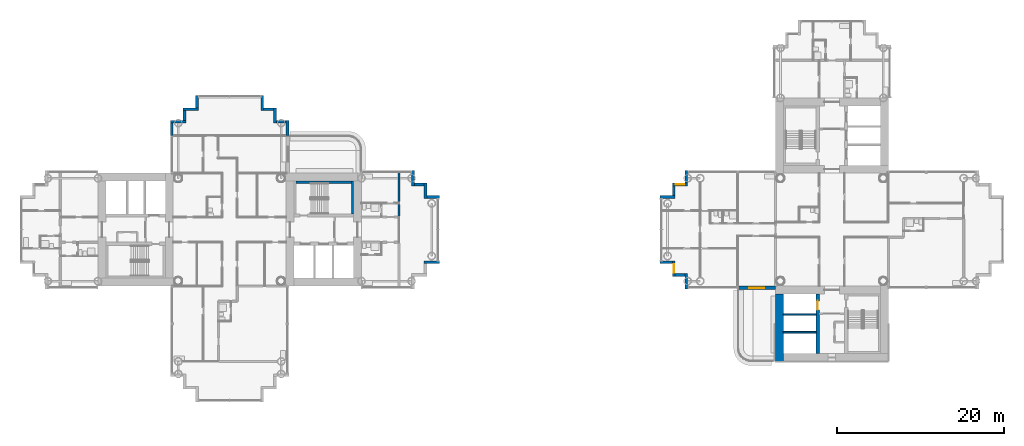
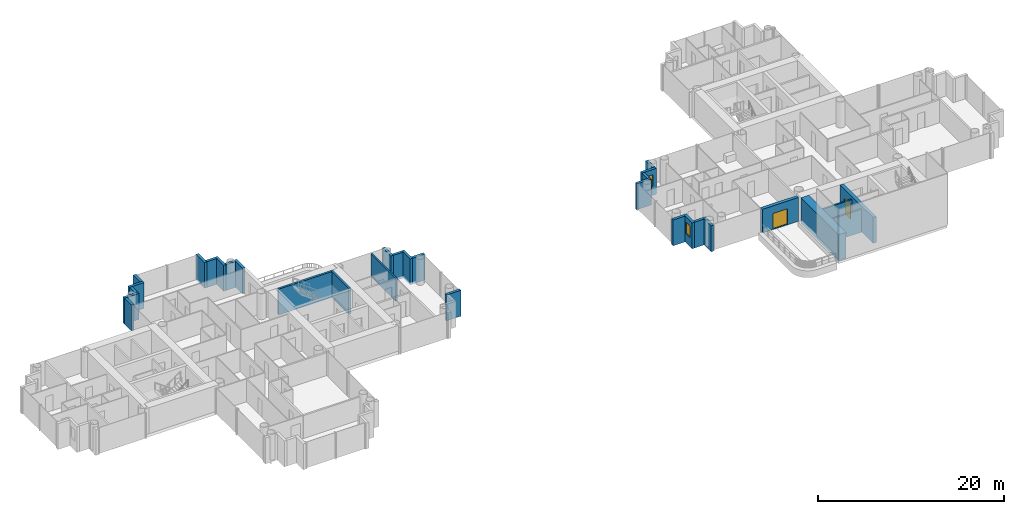
# One storey, part 12 of 22: 31 walls, 2 doors, 2 windows, 4 openings.
"""IFC4 building model written with IfcOpenShell, lengths in metres."""

from ifc_helpers import new_model, si_unit, direction, frame, frame_2d, origin, place, context, subcontext, project, spatial, rectangle, extrude, material, layer, layer_set, type_object, element, fill, save


model = new_model("IFC4")

# Units and contexts
model_context = context("Model", 3, precision=1e-05, world=origin(), true_north=direction((0.0, 1.0)))
body_context = subcontext(model_context, "Body", "Model", "MODEL_VIEW")
ifc_project = project(units=[si_unit("LENGTHUNIT", "METRE"), si_unit("AREAUNIT", "SQUARE_METRE"), si_unit("VOLUMEUNIT", "CUBIC_METRE"), si_unit("PLANEANGLEUNIT", "RADIAN"), si_unit("MASSUNIT", "GRAM", prefix="KILO")], contexts=[model_context])

# Site, building, storey
site_placement = place(None, origin())
site = spatial("IfcSite", under=ifc_project, at=site_placement, CompositionType="ELEMENT")
building_placement = place(site_placement, origin())
building = spatial("IfcBuilding", under=site, at=building_placement, Name="Ipe Terrace Towers", CompositionType="ELEMENT")
storey_placement = place(building_placement, frame((0.0, 0.0, 110.60009765625)))
storey = spatial("IfcBuildingStorey", under=building, at=storey_placement, Name="L30", CompositionType="ELEMENT", Elevation=110.60009765625)

# Wall, opening, door
ifc_material_1 = material(Name="Concrete C40/50 with buff precast cladding", Category="concrete")
ifc_layer_1 = layer(ifc_material_1, 0.39990234375)
ifc_layer_set_1 = layer_set([ifc_layer_1], Name="BALCONY BAY WALL 400")
wall_type_1 = type_object("IfcWallType", Name="BALCONY BAY WALL 400", PredefinedType="STANDARD", material=ifc_layer_set_1)
wall_1_placement = place(storey_placement, frame((24.75, -6.949951171875, -0.02001953125), z_axis=(0.0, 0.0, 1.0), x_axis=(1.0, 0.0, 0.0)))
wall_1 = element("IfcWall", 1, at=wall_1_placement, inside=storey, type_object=wall_type_1, Name="T2-W-L30-40a wall", PredefinedType="STANDARD", context=body_context, shape_type="SweptSolid", body=[
    extrude(rectangle(XDim=4.5, YDim=0.39990234375, at=frame_2d((2.25, 0.0))), origin(), (0.0, 0.0, 1.0), 3.119873046875),
])
opening_1_placement = place(wall_1_placement, frame((1.35009765625, 0.0, 0.02001953125)))
opening_1 = element("IfcOpeningElement", 2, at=opening_1_placement, cuts=wall_1, Name="Opening T2-D-L30-40", PredefinedType="OPENING", context=body_context, shape_type="SweptSolid", body=[
    extrude(rectangle(XDim=1.800048828125, YDim=2.10009765625, at=frame_2d((0.89990234375, 1.050048828125))), frame((0.0, 0.2099609375, 0.0), z_axis=(0.0, -1.0, 0.0), x_axis=(1.0, 0.0, 0.0)), (0.0, 0.0, 1.0), 0.419921875),
])
ifc_material_2 = material(Name="Aluminium alloy 6063-T6 framed glazed door", Category="aluminium")
door_type_1 = type_object("IfcDoorType", Name="BALCONY DOOR 1800 x 2100 RIGHT", OperationType="SINGLE_SWING_RIGHT", PredefinedType="DOOR", material=ifc_material_2)
door_1_placement = place(opening_1_placement, origin())
door_1 = element("IfcDoor", 3, at=door_1_placement, inside=storey, type_object=door_type_1, Name="DB2 door", OperationType="SINGLE_SWING_RIGHT", OverallHeight=2.10009765625, OverallWidth=1.800048828125, PredefinedType="DOOR", context=body_context, shape_type="SweptSolid", body=[
    extrude(rectangle(XDim=1.800048828125, YDim=2.10009765625, at=frame_2d((0.89990234375, 1.050048828125))), frame((0.0, 0.02490234375, 0.0), z_axis=(0.0, -1.0, 0.0), x_axis=(1.0, 0.0, 0.0)), (0.0, 0.0, 1.0), 0.050048828125),
])
fill(opening_1, door_1)

# Walls
ifc_material_3 = material(Name="Concrete C40/50 with buff precast cladding", Category="concrete")
ifc_layer_2 = layer(ifc_material_3, 0.320068359375)
ifc_layer_set_2 = layer_set([ifc_layer_2], Name="BUFF CLADDING WALL 320")
wall_type_2 = type_object("IfcWallType", Name="BUFF CLADDING WALL 320", PredefinedType="STANDARD", material=ifc_layer_set_2)
wall_2_placement = place(storey_placement, frame((-12.75, -3.909912109375, -0.300048828125), z_axis=(0.0, 0.0, 1.0), x_axis=(1.0, 0.0, 0.0)))
element("IfcWall", 4, at=wall_2_placement, inside=storey, type_object=wall_type_2, Name="T1-W-L30-24a wall", PredefinedType="STANDARD", context=body_context, shape_type="SweptSolid", body=[
    extrude(rectangle(XDim=1.820068359375, YDim=0.320068359375, at=frame_2d((0.91015625, 0.0))), origin(), (0.0, 0.0, 1.0), 3.39990234375),
])
wall_3_placement = place(storey_placement, frame((-10.929931640625, 3.909912109375, -0.300048828125), z_axis=(0.0, 0.0, 1.0), x_axis=(-1.0, 0.0, 0.0)))
element("IfcWall", 5, at=wall_3_placement, inside=storey, type_object=wall_type_2, Name="T1-W-L30-26a wall", PredefinedType="STANDARD", context=body_context, shape_type="SweptSolid", body=[
    extrude(rectangle(XDim=1.5, YDim=0.320068359375, at=frame_2d((0.75, 0.0))), origin(), (0.0, 0.0, 1.0), 3.39990234375),
])
wall_4_placement = place(storey_placement, frame((-12.590087890625, 3.75, -0.300048828125), z_axis=(0.0, 0.0, 1.0), x_axis=(0.0, 1.0, 0.0)))
element("IfcWall", 6, at=wall_4_placement, inside=storey, type_object=wall_type_2, Name="T1-W-L30-27a wall", PredefinedType="STANDARD", context=body_context, shape_type="SweptSolid", body=[
    extrude(rectangle(XDim=1.820068359375, YDim=0.320068359375, at=frame_2d((0.91015625, 0.0))), origin(), (0.0, 0.0, 1.0), 3.39990234375),
])
wall_5_placement = place(storey_placement, frame((-12.75, 5.409912109375, -0.300048828125), z_axis=(0.0, 0.0, 1.0), x_axis=(-1.0, 0.0, 0.0)))
element("IfcWall", 7, at=wall_5_placement, inside=storey, type_object=wall_type_2, Name="T1-W-L30-28a wall", PredefinedType="STANDARD", context=body_context, shape_type="SweptSolid", body=[
    extrude(rectangle(XDim=1.179931640625, YDim=0.320068359375, at=frame_2d((0.58984375, 0.0))), origin(), (0.0, 0.0, 1.0), 3.39990234375),
])
for number, where, z_axis, x_axis, name in (
    (8, (-14.090087890625, 5.25, -0.300048828125), (0.0, 0.0, 1.0), (0.0, 1.0, 0.0), "T1-W-L30-29a wall"),
    (9, (-29.090087890625, 11.25, -0.300048828125), (0.0, 0.0, 1.0), (0.0, 1.0, 0.0), "T1-W-L30-33a wall"),
):
    element("IfcWall", number, at=place(storey_placement, frame(where, z_axis=z_axis, x_axis=x_axis)), inside=storey, type_object=wall_type_2, Name=name, PredefinedType="STANDARD", context=body_context, shape_type="SweptSolid", body=[
        extrude(rectangle(XDim=1.820068359375, YDim=0.320068359375, at=frame_2d((0.91015625, 0.0))), origin(), (0.0, 0.0, 1.0), 3.39990234375),
    ])
wall_6_placement = place(storey_placement, frame((-29.25, 12.909912109375, -0.300048828125), z_axis=(0.0, 0.0, 1.0), x_axis=(-1.0, 0.0, 0.0)))
element("IfcWall", 10, at=wall_6_placement, inside=storey, type_object=wall_type_2, Name="T1-W-L30-34a wall", PredefinedType="STANDARD", context=body_context, shape_type="SweptSolid", body=[
    extrude(rectangle(XDim=1.179931640625, YDim=0.320068359375, at=frame_2d((0.58984375, 0.0))), origin(), (0.0, 0.0, 1.0), 3.39990234375),
])
wall_7_placement = place(storey_placement, frame((-30.590087890625, 12.75, -0.300048828125), z_axis=(0.0, 0.0, 1.0), x_axis=(0.0, 1.0, 0.0)))
element("IfcWall", 11, at=wall_7_placement, inside=storey, type_object=wall_type_2, Name="T1-W-L30-35a wall", PredefinedType="STANDARD", context=body_context, shape_type="SweptSolid", body=[
    extrude(rectangle(XDim=1.820068359375, YDim=0.320068359375, at=frame_2d((0.91015625, 0.0))), origin(), (0.0, 0.0, 1.0), 3.39990234375),
])
wall_8_placement = place(storey_placement, frame((-30.75, 14.409912109375, -0.300048828125), z_axis=(0.0, 0.0, 1.0), x_axis=(-1.0, 0.0, 0.0)))
element("IfcWall", 12, at=wall_8_placement, inside=storey, type_object=wall_type_2, Name="T1-W-L30-36a wall", PredefinedType="STANDARD", context=body_context, shape_type="SweptSolid", body=[
    extrude(rectangle(XDim=1.179931640625, YDim=0.320068359375, at=frame_2d((0.58984375, 0.0))), origin(), (0.0, 0.0, 1.0), 3.39990234375),
])
wall_9_placement = place(storey_placement, frame((-32.090087890625, 14.25, -0.300048828125), z_axis=(0.0, 0.0, 1.0), x_axis=(0.0, 1.0, 0.0)))
element("IfcWall", 13, at=wall_9_placement, inside=storey, type_object=wall_type_2, Name="T1-W-L30-37a wall", PredefinedType="STANDARD", context=body_context, shape_type="SweptSolid", body=[
    extrude(rectangle(XDim=1.820068359375, YDim=0.320068359375, at=frame_2d((0.91015625, 0.0))), origin(), (0.0, 0.0, 1.0), 3.39990234375),
])
wall_10_placement = place(storey_placement, frame((-39.909912109375, 16.070068359375, -0.300048828125), z_axis=(0.0, 0.0, 1.0), x_axis=(0.0, -1.0, 0.0)))
element("IfcWall", 14, at=wall_10_placement, inside=storey, type_object=wall_type_2, Name="T1-W-L30-39a wall", PredefinedType="STANDARD", context=body_context, shape_type="SweptSolid", body=[
    extrude(rectangle(XDim=1.5, YDim=0.320068359375, at=frame_2d((0.75, 0.0))), origin(), (0.0, 0.0, 1.0), 3.39990234375),
])
wall_11_placement = place(storey_placement, frame((-39.75, 14.409912109375, -0.300048828125), z_axis=(0.0, 0.0, 1.0), x_axis=(-1.0, 0.0, 0.0)))
element("IfcWall", 15, at=wall_11_placement, inside=storey, type_object=wall_type_2, Name="T1-W-L30-40a wall", PredefinedType="STANDARD", context=body_context, shape_type="SweptSolid", body=[
    extrude(rectangle(XDim=1.820068359375, YDim=0.320068359375, at=frame_2d((0.91015625, 0.0))), origin(), (0.0, 0.0, 1.0), 3.39990234375),
])
wall_12_placement = place(storey_placement, frame((-41.409912109375, 14.25, -0.300048828125), z_axis=(0.0, 0.0, 1.0), x_axis=(0.0, -1.0, 0.0)))
element("IfcWall", 16, at=wall_12_placement, inside=storey, type_object=wall_type_2, Name="T1-W-L30-41a wall", PredefinedType="STANDARD", context=body_context, shape_type="SweptSolid", body=[
    extrude(rectangle(XDim=1.179931640625, YDim=0.320068359375, at=frame_2d((0.58984375, 0.0))), origin(), (0.0, 0.0, 1.0), 3.39990234375),
])
wall_13_placement = place(storey_placement, frame((-41.25, 12.909912109375, -0.300048828125), z_axis=(0.0, 0.0, 1.0), x_axis=(-1.0, 0.0, 0.0)))
element("IfcWall", 17, at=wall_13_placement, inside=storey, type_object=wall_type_2, Name="T1-W-L30-42a wall", PredefinedType="STANDARD", context=body_context, shape_type="SweptSolid", body=[
    extrude(rectangle(XDim=1.820068359375, YDim=0.320068359375, at=frame_2d((0.91015625, 0.0))), origin(), (0.0, 0.0, 1.0), 3.39990234375),
])
for number, where, z_axis, x_axis, name in (
    (18, (-42.909912109375, 12.75, -0.300048828125), (0.0, 0.0, 1.0), (0.0, -1.0, 0.0), "T1-W-L30-43a wall"),
    (19, (18.590087890625, 7.070068359375, -0.300048828125), (0.0, 0.0, 1.0), (0.0, -1.0, 0.0), "T2-W-L30-30a wall"),
):
    element("IfcWall", number, at=place(storey_placement, frame(where, z_axis=z_axis, x_axis=x_axis)), inside=storey, type_object=wall_type_2, Name=name, PredefinedType="STANDARD", context=body_context, shape_type="SweptSolid", body=[
        extrude(rectangle(XDim=1.5, YDim=0.320068359375, at=frame_2d((0.75, 0.0))), origin(), (0.0, 0.0, 1.0), 3.39990234375),
    ])

# Wall, opening, window
wall_14_placement = place(storey_placement, frame((18.75, 5.409912109375, -0.300048828125), z_axis=(0.0, 0.0, 1.0), x_axis=(-1.0, 0.0, 0.0)))
wall_14 = element("IfcWall", 20, at=wall_14_placement, inside=storey, type_object=wall_type_2, Name="T2-W-L30-31a wall", PredefinedType="STANDARD", context=body_context, shape_type="SweptSolid", body=[
    extrude(rectangle(XDim=1.820068359375, YDim=0.320068359375, at=frame_2d((0.91015625, 0.0))), origin(), (0.0, 0.0, 1.0), 3.39990234375),
])
opening_2_placement = place(wall_14_placement, frame((0.409912109375, 0.0, 1.199951171875)))
opening_2 = element("IfcOpeningElement", 21, at=opening_2_placement, cuts=wall_14, Name="Opening T2-W-05-L30-02", PredefinedType="OPENING", context=body_context, shape_type="SweptSolid", body=[
    extrude(rectangle(XDim=1.0, YDim=1.5, at=frame_2d((0.5, 0.75))), frame((0.0, 0.169921875, 0.0), z_axis=(0.0, -1.0, 0.0), x_axis=(1.0, 0.0, 0.0)), (0.0, 0.0, 1.0), 0.340087890625),
])
ifc_material_4 = material(Name="Glass, clear laminated", Category="glass")
window_type = type_object("IfcWindowType", Name="DWELLING WINDOW 1000 x 1500", PartitioningType="SINGLE_PANEL", PredefinedType="WINDOW", material=ifc_material_4)
window_1_placement = place(opening_2_placement, origin())
window_1 = element("IfcWindow", 22, at=window_1_placement, inside=storey, type_object=window_type, Name="W-05 window", OverallHeight=1.5, OverallWidth=1.0, PartitioningType="SINGLE_PANEL", PredefinedType="WINDOW", context=body_context, shape_type="SweptSolid", body=[
    extrude(rectangle(XDim=1.0, YDim=1.5, at=frame_2d((0.5, 0.75))), frame((0.0, 0.030029296875, 0.0), z_axis=(0.0, -1.0, 0.0), x_axis=(1.0, 0.0, 0.0)), (0.0, 0.0, 1.0), 0.06005859375),
])
fill(opening_2, window_1)

# Walls
wall_15_placement = place(storey_placement, frame((17.090087890625, 5.25, -0.300048828125), z_axis=(0.0, 0.0, 1.0), x_axis=(0.0, -1.0, 0.0)))
element("IfcWall", 23, at=wall_15_placement, inside=storey, type_object=wall_type_2, Name="T2-W-L30-32a wall", PredefinedType="STANDARD", context=body_context, shape_type="SweptSolid", body=[
    extrude(rectangle(XDim=1.179931640625, YDim=0.320068359375, at=frame_2d((0.58984375, 0.0))), origin(), (0.0, 0.0, 1.0), 3.39990234375),
])
wall_16_placement = place(storey_placement, frame((17.25, 3.909912109375, -0.300048828125), z_axis=(0.0, 0.0, 1.0), x_axis=(-1.0, 0.0, 0.0)))
element("IfcWall", 24, at=wall_16_placement, inside=storey, type_object=wall_type_2, Name="T2-W-L30-33a wall", PredefinedType="STANDARD", context=body_context, shape_type="SweptSolid", body=[
    extrude(rectangle(XDim=1.820068359375, YDim=0.320068359375, at=frame_2d((0.91015625, 0.0))), origin(), (0.0, 0.0, 1.0), 3.39990234375),
])
wall_17_placement = place(storey_placement, frame((15.429931640625, -3.909912109375, -0.300048828125), z_axis=(0.0, 0.0, 1.0), x_axis=(1.0, 0.0, 0.0)))
element("IfcWall", 25, at=wall_17_placement, inside=storey, type_object=wall_type_2, Name="T2-W-L30-35a wall", PredefinedType="STANDARD", context=body_context, shape_type="SweptSolid", body=[
    extrude(rectangle(XDim=1.5, YDim=0.320068359375, at=frame_2d((0.75, 0.0))), origin(), (0.0, 0.0, 1.0), 3.39990234375),
])

# Wall, opening, window
wall_18_placement = place(storey_placement, frame((17.090087890625, -3.75, -0.300048828125), z_axis=(0.0, 0.0, 1.0), x_axis=(0.0, -1.0, 0.0)))
wall_18 = element("IfcWall", 26, at=wall_18_placement, inside=storey, type_object=wall_type_2, Name="T2-W-L30-36a wall", PredefinedType="STANDARD", context=body_context, shape_type="SweptSolid", body=[
    extrude(rectangle(XDim=1.820068359375, YDim=0.320068359375, at=frame_2d((0.91015625, 0.0))), origin(), (0.0, 0.0, 1.0), 3.39990234375),
])
opening_3_placement = place(wall_18_placement, frame((0.409912109375, 0.0, 1.199951171875)))
opening_3 = element("IfcOpeningElement", 27, at=opening_3_placement, cuts=wall_18, Name="Opening T2-W-05-L30-01", PredefinedType="OPENING", context=body_context, shape_type="SweptSolid", body=[
    extrude(rectangle(XDim=1.0, YDim=1.5, at=frame_2d((0.5, 0.75))), frame((0.0, 0.169921875, 0.0), z_axis=(0.0, -1.0, 0.0), x_axis=(1.0, 0.0, 0.0)), (0.0, 0.0, 1.0), 0.340087890625),
])
window_2_placement = place(opening_3_placement, origin())
window_2 = element("IfcWindow", 28, at=window_2_placement, inside=storey, type_object=window_type, Name="W-05 window", OverallHeight=1.5, OverallWidth=1.0, PartitioningType="SINGLE_PANEL", PredefinedType="WINDOW", context=body_context, shape_type="SweptSolid", body=[
    extrude(rectangle(XDim=1.0, YDim=1.5, at=frame_2d((0.5, 0.75))), frame((0.0, 0.030029296875, 0.0), z_axis=(0.0, -1.0, 0.0), x_axis=(1.0, 0.0, 0.0)), (0.0, 0.0, 1.0), 0.06005859375),
])
fill(opening_3, window_2)

# Walls
wall_19_placement = place(storey_placement, frame((17.25, -5.409912109375, -0.300048828125), z_axis=(0.0, 0.0, 1.0), x_axis=(1.0, 0.0, 0.0)))
element("IfcWall", 29, at=wall_19_placement, inside=storey, type_object=wall_type_2, Name="T2-W-L30-37a wall", PredefinedType="STANDARD", context=body_context, shape_type="SweptSolid", body=[
    extrude(rectangle(XDim=1.179931640625, YDim=0.320068359375, at=frame_2d((0.58984375, 0.0))), origin(), (0.0, 0.0, 1.0), 3.39990234375),
])
wall_20_placement = place(storey_placement, frame((18.590087890625, -5.25, -0.300048828125), z_axis=(0.0, 0.0, 1.0), x_axis=(0.0, -1.0, 0.0)))
element("IfcWall", 30, at=wall_20_placement, inside=storey, type_object=wall_type_2, Name="T2-W-L30-38a wall", PredefinedType="STANDARD", context=body_context, shape_type="SweptSolid", body=[
    extrude(rectangle(XDim=1.820068359375, YDim=0.320068359375, at=frame_2d((0.91015625, 0.0))), origin(), (0.0, 0.0, 1.0), 3.39990234375),
])
ifc_material_5 = material(Name="Gypsum board party wall", Category="plasterboard")
ifc_layer_3 = layer(ifc_material_5, 0.199951171875)
ifc_layer_set_3 = layer_set([ifc_layer_3], Name="Gypsum board party wall 200 mm")
wall_type_3 = type_object("IfcWallType", Name="Gypsum board party wall 200 mm", PredefinedType="SOLIDWALL", material=ifc_layer_set_3)
wall_21_placement = place(storey_placement, frame((-15.75, 1.5, 0.0), z_axis=(0.0, 0.0, 1.0), x_axis=(0.0, 1.0, 0.0)))
element("IfcWall", 31, at=wall_21_placement, inside=storey, type_object=wall_type_3, Name="Gypsum board party wall T1 L30 W22", PredefinedType="SOLIDWALL", context=body_context, shape_type="SweptSolid", body=[
    extrude(rectangle(XDim=5.35009765625, YDim=0.199951171875, at=frame_2d((2.675048828125, 0.0))), origin(), (0.0, 0.0, 1.0), 3.0),
])
for number, where, z_axis, x_axis, name in (
    (32, (30.199951171875, -10.14990234375, 0.0), (0.0, 0.0, 1.0), (1.0, 0.0, 0.0), "Gypsum board party wall T2 L30 t2c2-shaft-div1"),
    (33, (30.199951171875, -12.25, 0.0), (0.0, 0.0, 1.0), (1.0, 0.0, 0.0), "Gypsum board party wall T2 L30 t2c2-shaft-div2"),
):
    element("IfcWall", number, at=place(storey_placement, frame(where, z_axis=z_axis, x_axis=x_axis)), inside=storey, type_object=wall_type_3, Name=name, PredefinedType="SOLIDWALL", context=body_context, shape_type="SweptSolid", body=[
        extrude(rectangle(XDim=3.900146484375, YDim=0.199951171875, at=frame_2d((1.9501953125, 0.0))), origin(), (0.0, 0.0, 1.0), 3.0),
    ])
ifc_material_6 = material(Name="Concrete C50/60", Category="concrete")
ifc_layer_4 = layer(ifc_material_6, 0.25)
ifc_layer_set_4 = layer_set([ifc_layer_4], Name="RW250 CORE INFILL WALL 250 C50-60")
wall_type_4 = type_object("IfcWallType", Name="RW250 CORE INFILL WALL 250 C50-60", PredefinedType="SHEAR", material=ifc_layer_set_4)
wall_22_placement = place(storey_placement, frame((-21.324951171875, 1.89990234375, 0.0), z_axis=(0.0, 0.0, 1.0), x_axis=(0.0, 1.0, 0.0)))
element("IfcWall", 34, at=wall_22_placement, inside=storey, type_object=wall_type_4, Name="Core infill wall T1-C1-far", PredefinedType="SHEAR", context=body_context, shape_type="SweptSolid", body=[
    extrude(rectangle(XDim=3.900146484375, YDim=0.25, at=frame_2d((1.9501953125, 0.0))), origin(), (0.0, 0.0, 1.0), 3.39990234375),
])
wall_23_placement = place(storey_placement, frame((-28.050048828125, 5.675048828125, 0.0), z_axis=(0.0, 0.0, 1.0), x_axis=(1.0, 0.0, 0.0)))
element("IfcWall", 35, at=wall_23_placement, inside=storey, type_object=wall_type_4, Name="Core infill wall T1-C1-back", PredefinedType="SHEAR", context=body_context, shape_type="SweptSolid", body=[
    extrude(rectangle(XDim=6.60009765625, YDim=0.25, at=frame_2d((3.300048828125, 0.0))), origin(), (0.0, 0.0, 1.0), 3.39990234375),
])

# Wall, opening, door
ifc_material_7 = material(Name="Concrete C50/60", Category="concrete")
ifc_layer_5 = layer(ifc_material_7, 0.39990234375)
ifc_layer_set_5 = layer_set([ifc_layer_5], Name="RW400 CORE SPINE WALL 400 C50-60")
wall_type_5 = type_object("IfcWallType", Name="RW400 CORE SPINE WALL 400 C50-60", PredefinedType="SHEAR", material=ifc_layer_set_5)
wall_24_placement = place(storey_placement, frame((34.300048828125, -14.800048828125, 0.0), z_axis=(0.0, 0.0, 1.0), x_axis=(0.0, 1.0, 0.0)))
wall_24 = element("IfcWall", 36, at=wall_24_placement, inside=storey, type_object=wall_type_5, Name="Core spine wall T2-C2-Z2-SW1", PredefinedType="SHEAR", context=body_context, shape_type="SweptSolid", body=[
    extrude(rectangle(XDim=7.10009765625, YDim=0.39990234375, at=frame_2d((3.550048828125, 0.0))), origin(), (0.0, 0.0, 1.0), 3.39990234375),
])
opening_4_placement = place(wall_24_placement, frame((5.199951171875, 0.0, 0.0)))
opening_4 = element("IfcOpeningElement", 37, at=opening_4_placement, cuts=wall_24, Name="Opening T2C2-LD1", PredefinedType="OPENING", context=body_context, shape_type="SweptSolid", body=[
    extrude(rectangle(XDim=1.10009765625, YDim=2.10009765625, at=frame_2d((0.550048828125, 1.050048828125))), frame((0.0, 0.2099609375, 0.0), z_axis=(0.0, -1.0, 0.0), x_axis=(1.0, 0.0, 0.0)), (0.0, 0.0, 1.0), 0.419921875),
])
ifc_material_8 = material(Name="Fire-rated timber door leaf", Category="wood")
door_type_2 = type_object("IfcDoorType", Name="Sliding door 1100 x 2100 FD60", OperationType="SLIDING_TO_LEFT", PredefinedType="DOOR", material=ifc_material_8)
door_2_placement = place(opening_4_placement, origin())
door_2 = element("IfcDoor", 38, at=door_2_placement, inside=storey, type_object=door_type_2, Name="Sliding door T2C2-LD1", OperationType="SLIDING_TO_LEFT", OverallHeight=2.10009765625, OverallWidth=1.10009765625, PredefinedType="DOOR", context=body_context, shape_type="SweptSolid", body=[
    extrude(rectangle(XDim=1.10009765625, YDim=2.10009765625, at=frame_2d((0.550048828125, 1.050048828125))), frame((0.0, 0.02490234375, 0.0), z_axis=(0.0, -1.0, 0.0), x_axis=(1.0, 0.0, 0.0)), (0.0, 0.0, 1.0), 0.050048828125),
])
fill(opening_4, door_2)

# Wall
ifc_material_9 = material(Name="Concrete C50/60", Category="concrete")
ifc_layer_6 = layer(ifc_material_9, 0.949951171875)
ifc_layer_set_6 = layer_set([ifc_layer_6], Name="RW950 CORE WALL 950 C50-60")
wall_type_6 = type_object("IfcWallType", Name="RW950 CORE WALL 950 C50-60", PredefinedType="SHEAR", material=ifc_layer_set_6)
wall_25_placement = place(storey_placement, frame((29.72509765625, -7.699951171875, 0.0), z_axis=(0.0, 0.0, 1.0), x_axis=(0.0, -1.0, 0.0)))
element("IfcWall", 39, at=wall_25_placement, inside=storey, type_object=wall_type_6, Name="Core wall T2-C2-Z2-W04", PredefinedType="SHEAR", context=body_context, shape_type="SweptSolid", body=[
    extrude(rectangle(XDim=8.050048828125, YDim=0.949951171875, at=frame_2d((4.02490234375, 0.0))), origin(), (0.0, 0.0, 1.0), 3.39990234375),
])

save(model, "model.ifc")
